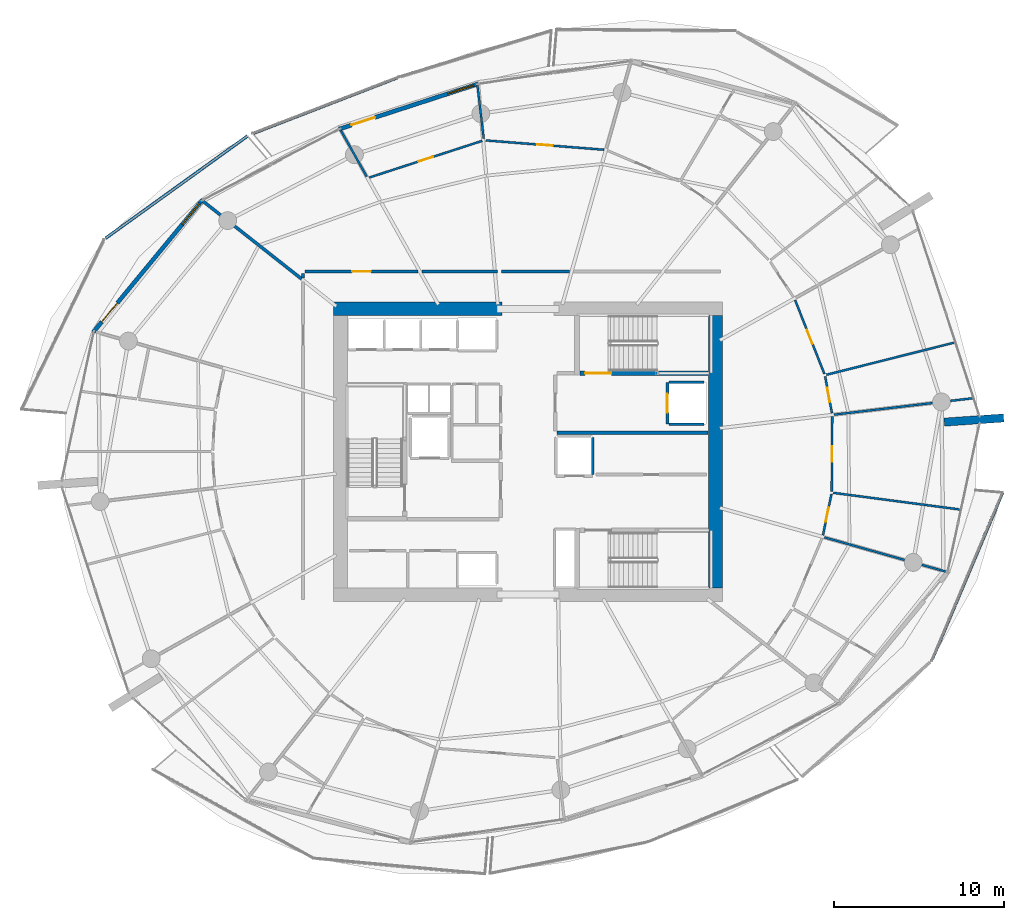
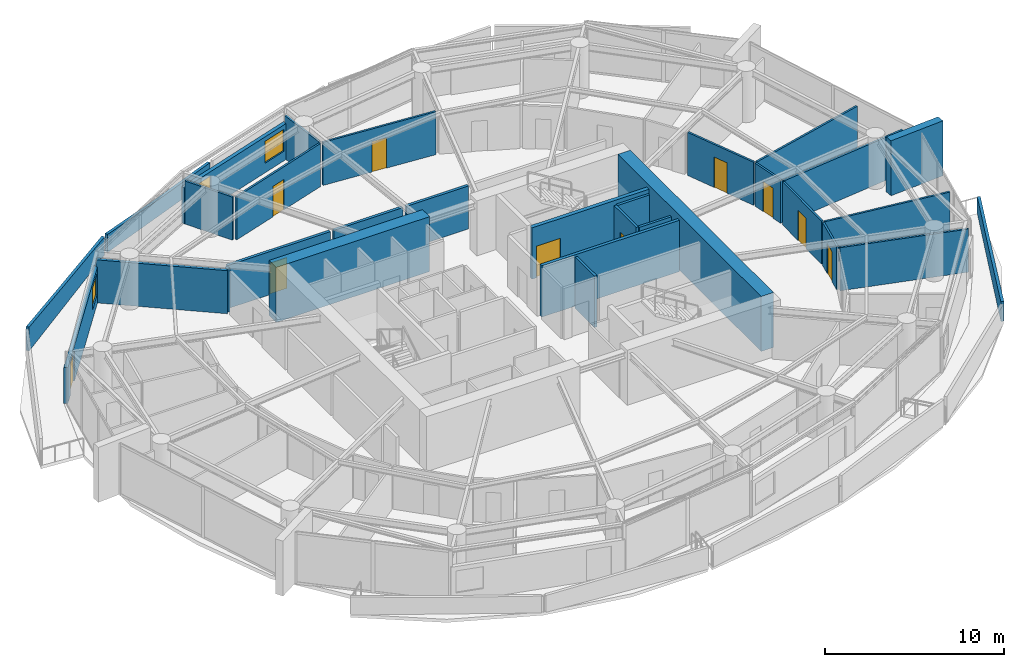
# One storey, part 14 of 20: 31 walls, 11 doors, 2 windows, 13 openings.
"""IFC4 building model written with IfcOpenShell, lengths in metres."""

from ifc_helpers import new_model, si_unit, direction, frame, frame_2d, origin, place, context, subcontext, project, spatial, polyline, rectangle, outline, extrude, material, layer, layer_set, type_object, element, fill, save


model = new_model("IFC4")

# Units and contexts
model_context = context("Model", 3, precision=1e-05, world=origin(), true_north=direction((0.0, 1.0)))
body_context = subcontext(model_context, "Body", "Model", "MODEL_VIEW")
ifc_project = project(units=[si_unit("LENGTHUNIT", "METRE"), si_unit("AREAUNIT", "SQUARE_METRE"), si_unit("VOLUMEUNIT", "CUBIC_METRE"), si_unit("PLANEANGLEUNIT", "RADIAN"), si_unit("MASSUNIT", "GRAM", prefix="KILO")], contexts=[model_context])

# Site, building, storey
site_placement = place(None, origin())
site = spatial("IfcSite", under=ifc_project, at=site_placement, CompositionType="ELEMENT")
building_placement = place(site_placement, origin())
building = spatial("IfcBuilding", under=site, at=building_placement, Name="Kazma Halo Residences", CompositionType="ELEMENT")
storey_placement = place(building_placement, frame((0.0, 0.0, 135.300048828125)))
storey = spatial("IfcBuildingStorey", under=building, at=storey_placement, Name="L33", CompositionType="ELEMENT", Elevation=135.300048828125)

# Walls
ifc_material_1 = material(Name="White Concrete C50/60 Balustrade", Category="concrete")
ifc_layer_1 = layer(ifc_material_1, 0.179931640625)
ifc_layer_set_1 = layer_set([ifc_layer_1], Name="White Concrete C50/60 Balustrade")
wall_type_1 = type_object("IfcWallType", Name="WL-BAL-WAVE-180", PredefinedType="PARAPET", material=ifc_layer_set_1)
wall_1_placement = place(storey_placement, frame((40.72900390625, 63.989990234375, 0.0), z_axis=(0.0, 0.0, 1.0), x_axis=(-0.932748827034, -0.360526872322, 0.0)))
element("IfcWall", 1, at=wall_1_placement, inside=storey, type_object=wall_type_1, Name="L33 white wave balustrade wall NNW.2", PredefinedType="PARAPET", context=body_context, shape_type="SweptSolid", body=[
    extrude(outline(polyline([(0.0, 0.0), (9.118896484375, 0.0), (9.118896484375, 1.223876953125), (4.5595703125, 1.126953125), (0.0, 1.14794921875), (0.0, 0.0)])), frame((0.0, 0.08984375, 0.0), z_axis=(0.0, -1.0, 0.0), x_axis=(1.0, 0.0, 0.0)), (0.0, 0.0, 1.0), 0.179931640625),
])
wall_2_placement = place(storey_placement, frame((31.9423828125, 60.5703125, 0.0), z_axis=(0.0, 0.0, 1.0), x_axis=(-0.811363748486, -0.584541587608, 0.0)))
element("IfcWall", 2, at=wall_2_placement, inside=storey, type_object=wall_type_1, Name="L33 white wave balustrade wall NW.1", PredefinedType="PARAPET", context=body_context, shape_type="SweptSolid", body=[
    extrude(outline(polyline([(0.0, 0.0), (10.2900390625, 0.0), (10.289794921875, 1.6318359375), (5.14501953125, 1.41796875), (0.0, 1.23291015625), (0.0, 0.0)])), frame((0.0, 0.08984375, 0.0), z_axis=(0.0, -1.0, 0.0), x_axis=(1.0, 0.0, 0.0)), (0.0, 0.0, 1.0), 0.179931640625),
])
wall_3_placement = place(storey_placement, frame((72.196044921875, 29.805908203125, 0.0), z_axis=(0.0, 0.0, 1.0), x_axis=(0.388680391431, 0.921372646282, 0.0)))
element("IfcWall", 3, at=wall_3_placement, inside=storey, type_object=wall_type_1, Name="L33 white wave balustrade wall SE.2", PredefinedType="PARAPET", context=body_context, shape_type="SweptSolid", body=[
    extrude(outline(polyline([(0.0, 0.0), (10.6259765625, 0.0), (10.626220703125, 1.119873046875), (5.31298828125, 1.181884765625), (0.0, 1.347900390625), (0.0, 0.0)])), frame((0.0, 0.08984375, 0.0), z_axis=(0.0, -1.0, 0.0), x_axis=(1.0, 0.0, 0.0)), (0.0, 0.0, 1.0), 0.179931640625),
])
ifc_material_2 = material(Name="Pale Concrete C60/75", Category="concrete")
ifc_layer_2 = layer(ifc_material_2, 0.47998046875)
ifc_layer_set_2 = layer_set([ifc_layer_2], Name="Pale Concrete C60/75")
wall_type_2 = type_object("IfcWallType", Name="WL-BLADE-480", PredefinedType="SOLIDWALL", material=ifc_layer_set_2)
wall_4_placement = place(storey_placement, frame((72.89697265625, 43.740966796875, 0.0), z_axis=(0.0, 0.0, 1.0), x_axis=(0.997564163539, 0.069754853754, 0.0)))
element("IfcWall", 4, at=wall_4_placement, inside=storey, type_object=wall_type_2, Name="L33 pale concrete structural blade fin wall BW-04", PredefinedType="SOLIDWALL", context=body_context, shape_type="SweptSolid", body=[
    extrude(rectangle(XDim=3.5, YDim=0.47998046875, at=frame_2d((1.75, 0.0))), origin(), (0.0, 0.0, 1.0), 3.75),
])
ifc_material_3 = material(Name="Concrete C80/95", Category="concrete")
ifc_layer_3 = layer(ifc_material_3, 0.800048828125)
ifc_layer_set_3 = layer_set([ifc_layer_3], Name="Concrete C80/95")
wall_type_3 = type_object("IfcWallType", Name="WL-CORE-800", PredefinedType="SHEAR", material=ifc_layer_set_3)
wall_5_placement = place(storey_placement, frame((37.0, 50.39990234375, 0.0), z_axis=(0.0, 0.0, 1.0), x_axis=(1.0, 0.0, 0.0)))
element("IfcWall", 5, at=wall_5_placement, inside=storey, type_object=wall_type_3, Name="L33 central core shear wall NW", PredefinedType="SHEAR", context=body_context, shape_type="SweptSolid", body=[
    extrude(rectangle(XDim=9.89990234375, YDim=0.800048828125, at=frame_2d((4.949951171875, 0.0))), origin(), (0.0, 0.0, 1.0), 3.75),
])
wall_6_placement = place(storey_placement, frame((59.449951171875, 34.0, 0.0), z_axis=(0.0, 0.0, 1.0), x_axis=(0.0, 1.0, 0.0)))
element("IfcWall", 6, at=wall_6_placement, inside=storey, type_object=wall_type_3, Name="L33 central core shear wall E", PredefinedType="SHEAR", context=body_context, shape_type="SweptSolid", body=[
    extrude(rectangle(XDim=16.0, YDim=0.800048828125, at=frame_2d((8.0, 0.0))), origin(), (0.0, 0.0, 1.0), 3.75),
])
ifc_material_4 = material(Name="Acoustic Twin-Stud Gypsum")
ifc_layer_4 = layer(ifc_material_4, 0.179931640625)
ifc_layer_set_4 = layer_set([ifc_layer_4], Name="Acoustic Twin-Stud Gypsum")
wall_type_4 = type_object("IfcWallType", Name="WL-DEM-180", PredefinedType="PARTITIONING", material=ifc_layer_set_4)
wall_7_placement = place(storey_placement, frame((35.113525390625, 52.15869140625, 0.0), z_axis=(0.0, 0.0, 1.0), x_axis=(-0.78531739611, 0.619093359169, 0.0)))
element("IfcWall", 7, at=wall_7_placement, inside=storey, type_object=wall_type_4, Name="L33 apartment demising radial wall 05", PredefinedType="PARTITIONING", context=body_context, shape_type="SweptSolid", body=[
    extrude(rectangle(XDim=7.430419921875, YDim=0.179931640625, at=frame_2d((3.71533203125, 0.0))), origin(), (0.0, 0.0, 1.0), 2.93994140625),
])

# Wall, opening, door
wall_8_placement = place(storey_placement, frame((41.943603515625, 52.60009765625, 0.0), z_axis=(0.0, 0.0, 1.0), x_axis=(-1.0, 0.0, 0.0)))
wall_8 = element("IfcWall", 8, at=wall_8_placement, inside=storey, type_object=wall_type_4, Name="L33 Apartment 2 entrance corridor wall", PredefinedType="PARTITIONING", context=body_context, shape_type="SweptSolid", body=[
    extrude(rectangle(XDim=6.62353515625, YDim=0.179931640625, at=frame_2d((3.311767578125, 0.0))), origin(), (0.0, 0.0, 1.0), 2.93994140625),
])
opening_1_placement = place(wall_8_placement, frame((2.76171875, 0.0, 0.0)))
opening_1 = element("IfcOpeningElement", 9, at=opening_1_placement, cuts=wall_8, Name="Opening DA-1100", PredefinedType="OPENING", context=body_context, shape_type="SweptSolid", body=[
    extrude(rectangle(XDim=1.10009765625, YDim=2.10009765625, at=frame_2d((0.550048828125, 1.050048828125))), frame((0.0, 0.099853515625, 0.0), z_axis=(0.0, -1.0, 0.0), x_axis=(1.0, 0.0, 0.0)), (0.0, 0.0, 1.0), 0.199951171875),
])
ifc_material_5 = material(Name="Acoustic Walnut Fire Leaf")
door_type_1 = type_object("IfcDoorType", Name="DR-FD60-1100", OperationType="NOTDEFINED", PredefinedType="DOOR", material=ifc_material_5)
door_1_placement = place(opening_1_placement, origin())
door_1 = element("IfcDoor", 10, at=door_1_placement, inside=storey, type_object=door_type_1, Name="L33 Apartment 2 entrance fire door", OperationType="SINGLE_SWING_RIGHT", OverallHeight=2.10009765625, OverallWidth=1.10009765625, PredefinedType="DOOR", context=body_context, shape_type="SweptSolid", body=[
    extrude(rectangle(XDim=1.10009765625, YDim=2.10009765625, at=frame_2d((0.550048828125, 1.050048828125))), frame((0.0, 0.02490234375, 0.0), z_axis=(0.0, -1.0, 0.0), x_axis=(1.0, 0.0, 0.0)), (0.0, 0.0, 1.0), 0.050048828125),
])
fill(opening_1, door_1)

# Walls
wall_9_placement = place(storey_placement, frame((35.199951171875, 52.47998046875, 0.0), z_axis=(0.0, 0.0, 1.0), x_axis=(0.0, -1.0, 0.0)))
element("IfcWall", 11, at=wall_9_placement, inside=storey, type_object=wall_type_4, Name="L33 Apartment 2 entrance corridor wall", PredefinedType="PARTITIONING", context=body_context, shape_type="SweptSolid", body=[
    extrude(rectangle(XDim=0.269287109375, YDim=0.179931640625, at=frame_2d((0.134765625, 0.0))), origin(), (0.0, 0.0, 1.0), 2.93994140625),
])
wall_10_placement = place(storey_placement, frame((50.869384765625, 52.60009765625, 0.0), z_axis=(0.0, 0.0, 1.0), x_axis=(-1.0, 0.0, 0.0)))
element("IfcWall", 12, at=wall_10_placement, inside=storey, type_object=wall_type_4, Name="L33 Apartment 2 inner wall 2", PredefinedType="PARTITIONING", context=body_context, shape_type="SweptSolid", body=[
    extrude(rectangle(XDim=4.00390625, YDim=0.179931640625, at=frame_2d((2.001953125, 0.0))), origin(), (0.0, 0.0, 1.0), 2.93994140625),
])
wall_11_placement = place(storey_placement, frame((46.62548828125, 52.60009765625, 0.0), z_axis=(0.0, 0.0, 1.0), x_axis=(-1.0, 0.0, 0.0)))
element("IfcWall", 13, at=wall_11_placement, inside=storey, type_object=wall_type_4, Name="L33 Apartment 2 inner wall 3", PredefinedType="PARTITIONING", context=body_context, shape_type="SweptSolid", body=[
    extrude(rectangle(XDim=4.44189453125, YDim=0.179931640625, at=frame_2d((2.220947265625, 0.0))), origin(), (0.0, 0.0, 1.0), 2.93994140625),
])

# Wall, openings, door, window
ifc_material_6 = material(Name="Insulated Pale-Metal Composite Wall")
ifc_layer_5 = layer(ifc_material_6, 0.239990234375)
ifc_layer_set_5 = layer_set([ifc_layer_5], Name="Insulated Pale-Metal Composite Wall")
wall_type_5 = type_object("IfcWallType", Name="WL-EXT-HOST-240", PredefinedType="SOLIDWALL", material=ifc_layer_set_5)
wall_12_placement = place(storey_placement, frame((45.489990234375, 63.624267578125, 0.0), z_axis=(0.0, 0.0, 1.0), x_axis=(-0.951046390632, -0.309048156224, 0.0)))
wall_12 = element("IfcWall", 14, at=wall_12_placement, inside=storey, type_object=wall_type_5, Name="L33 exterior terrace-access wall B04", PredefinedType="SOLIDWALL", context=body_context, shape_type="SweptSolid", body=[
    extrude(rectangle(XDim=8.590087890625, YDim=0.239990234375, at=frame_2d((4.294921875, 0.0))), origin(), (0.0, 0.0, 1.0), 2.449951171875),
])
opening_2_placement = place(wall_12_placement, frame((6.370361328125, 0.0, 0.0)))
opening_2 = element("IfcOpeningElement", 15, at=opening_2_placement, cuts=wall_12, Name="Opening DTR-1600", PredefinedType="OPENING", context=body_context, shape_type="SweptSolid", body=[
    extrude(rectangle(XDim=1.449951171875, YDim=2.14990234375, at=frame_2d((0.72509765625, 1.074951171875))), frame((0.0, 0.1298828125, 0.0), z_axis=(0.0, -1.0, 0.0), x_axis=(1.0, 0.0, 0.0)), (0.0, 0.0, 1.0), 0.260009765625),
])
opening_3_placement = place(wall_12_placement, frame((0.280029296875, 0.0, 0.64990234375)))
opening_3 = element("IfcOpeningElement", 16, at=opening_3_placement, cuts=wall_12, Name="Opening W-1800", PredefinedType="OPENING", context=body_context, shape_type="SweptSolid", body=[
    extrude(rectangle(XDim=1.60009765625, YDim=1.5, at=frame_2d((0.800048828125, 0.75))), frame((0.0, 0.1298828125, 0.0), z_axis=(0.0, -1.0, 0.0), x_axis=(1.0, 0.0, 0.0)), (0.0, 0.0, 1.0), 0.260009765625),
])
ifc_material_7 = material(Name="Aluminium AW-6063 T6 Double-Glazed Terrace Door", Category="aluminium")
door_type_2 = type_object("IfcDoorType", Name="DR-EXT-TERR-1600", OperationType="NOTDEFINED", PredefinedType="DOOR", material=ifc_material_7)
door_2_placement = place(opening_2_placement, origin())
door_2 = element("IfcDoor", 17, at=door_2_placement, inside=storey, type_object=door_type_2, Name="L33 B04 balcony terrace door", OperationType="DOUBLE_DOOR_SLIDING", OverallHeight=2.14990234375, OverallWidth=1.449951171875, PredefinedType="DOOR", context=body_context, shape_type="SweptSolid", body=[
    extrude(rectangle(XDim=1.449951171875, YDim=2.14990234375, at=frame_2d((0.72509765625, 1.074951171875))), frame((0.0, 0.02490234375, 0.0), z_axis=(0.0, -1.0, 0.0), x_axis=(1.0, 0.0, 0.0)), (0.0, 0.0, 1.0), 0.050048828125),
])
fill(opening_2, door_2)
ifc_material_8 = material(Name="Clear Triple-Silver Low-E Glass in Aluminium AW-6063 T6 Frame", Category="aluminium")
window_type = type_object("IfcWindowType", Name="WIN-RES-1800", PartitioningType="DOUBLE_PANEL_VERTICAL", PredefinedType="WINDOW", material=ifc_material_8)
window_1_placement = place(opening_3_placement, origin())
window_1 = element("IfcWindow", 18, at=window_1_placement, inside=storey, type_object=window_type, Name="L33 B04 apartment window", OverallHeight=1.5, OverallWidth=1.60009765625, PartitioningType="SINGLE_PANEL", PredefinedType="WINDOW", context=body_context, shape_type="SweptSolid", body=[
    extrude(rectangle(XDim=1.60009765625, YDim=1.5, at=frame_2d((0.800048828125, 0.75))), frame((0.0, 0.030029296875, 0.0), z_axis=(0.0, -1.0, 0.0), x_axis=(1.0, 0.0, 0.0)), (0.0, 0.0, 1.0), 0.06005859375),
])
fill(opening_3, window_1)

wall_13_placement = place(storey_placement, frame((29.29052734375, 56.81298828125, 0.0), z_axis=(0.0, 0.0, 1.0), x_axis=(-0.636771922292, -0.77105221547, 0.0)))
wall_13 = element("IfcWall", 19, at=wall_13_placement, inside=storey, type_object=wall_type_5, Name="L33 exterior terrace-access wall B06", PredefinedType="SOLIDWALL", context=body_context, shape_type="SweptSolid", body=[
    extrude(rectangle(XDim=10.08154296875, YDim=0.239990234375, at=frame_2d((5.040771484375, 0.0))), origin(), (0.0, 0.0, 1.0), 2.449951171875),
])
opening_4_placement = place(wall_13_placement, frame((7.861572265625, 0.0, 0.0)))
opening_4 = element("IfcOpeningElement", 20, at=opening_4_placement, cuts=wall_13, Name="Opening DTR-1600", PredefinedType="OPENING", context=body_context, shape_type="SweptSolid", body=[
    extrude(rectangle(XDim=1.449951171875, YDim=2.14990234375, at=frame_2d((0.72509765625, 1.074951171875))), frame((0.0, 0.1298828125, 0.0), z_axis=(0.0, -1.0, 0.0), x_axis=(1.0, 0.0, 0.0)), (0.0, 0.0, 1.0), 0.260009765625),
])
opening_5_placement = place(wall_13_placement, frame((0.280029296875, 0.0, 0.64990234375)))
opening_5 = element("IfcOpeningElement", 21, at=opening_5_placement, cuts=wall_13, Name="Opening W-1800", PredefinedType="OPENING", context=body_context, shape_type="SweptSolid", body=[
    extrude(rectangle(XDim=1.60009765625, YDim=1.5, at=frame_2d((0.800048828125, 0.75))), frame((0.0, 0.1298828125, 0.0), z_axis=(0.0, -1.0, 0.0), x_axis=(1.0, 0.0, 0.0)), (0.0, 0.0, 1.0), 0.260009765625),
])
door_3_placement = place(opening_4_placement, origin())
door_3 = element("IfcDoor", 22, at=door_3_placement, inside=storey, type_object=door_type_2, Name="L33 B06 balcony terrace door", OperationType="DOUBLE_DOOR_SLIDING", OverallHeight=2.14990234375, OverallWidth=1.449951171875, PredefinedType="DOOR", context=body_context, shape_type="SweptSolid", body=[
    extrude(rectangle(XDim=1.449951171875, YDim=2.14990234375, at=frame_2d((0.72509765625, 1.074951171875))), frame((0.0, 0.02490234375, 0.0), z_axis=(0.0, -1.0, 0.0), x_axis=(1.0, 0.0, 0.0)), (0.0, 0.0, 1.0), 0.050048828125),
])
fill(opening_4, door_3)
window_2_placement = place(opening_5_placement, origin())
window_2 = element("IfcWindow", 23, at=window_2_placement, inside=storey, type_object=window_type, Name="L33 B06 apartment window", OverallHeight=1.5, OverallWidth=1.60009765625, PartitioningType="SINGLE_PANEL", PredefinedType="WINDOW", context=body_context, shape_type="SweptSolid", body=[
    extrude(rectangle(XDim=1.60009765625, YDim=1.5, at=frame_2d((0.800048828125, 0.75))), frame((0.0, 0.030029296875, 0.0), z_axis=(0.0, -1.0, 0.0), x_axis=(1.0, 0.0, 0.0)), (0.0, 0.0, 1.0), 0.06005859375),
])
fill(opening_5, window_2)

# Wall, opening, door
ifc_material_9 = material(Name="Fire-Rated Blockwork Masonry", Category="masonry")
ifc_layer_6 = layer(ifc_material_9, 0.199951171875)
ifc_layer_set_6 = layer_set([ifc_layer_6], Name="Fire-Rated Blockwork Masonry")
wall_type_6 = type_object("IfcWallType", Name="WL-FLB-200", PredefinedType="PARTITIONING", material=ifc_layer_set_6)
wall_14_placement = place(storey_placement, frame((56.6201171875, 46.080078125, 0.0), z_axis=(0.0, 0.0, 1.0), x_axis=(0.0, -1.0, 0.0)))
wall_14 = element("IfcWall", 24, at=wall_14_placement, inside=storey, type_object=wall_type_6, Name="L33 lift shaft FL-02 front wall", PredefinedType="PARTITIONING", context=body_context, shape_type="SweptSolid", body=[
    extrude(rectangle(XDim=2.4599609375, YDim=0.159912109375, at=frame_2d((1.22998046875, 0.0))), origin(), (0.0, 0.0, 1.0), 3.5),
])
opening_6_placement = place(wall_14_placement, frame((0.679931640625, 0.0, 0.0)))
opening_6 = element("IfcOpeningElement", 25, at=opening_6_placement, cuts=wall_14, Name="Opening LD-FL-02", PredefinedType="OPENING", context=body_context, shape_type="SweptSolid", body=[
    extrude(rectangle(XDim=1.10009765625, YDim=2.10009765625, at=frame_2d((0.550048828125, 1.050048828125))), frame((0.0, 0.08984375, 0.0), z_axis=(0.0, -1.0, 0.0), x_axis=(1.0, 0.0, 0.0)), (0.0, 0.0, 1.0), 0.179931640625),
])
ifc_material_10 = material(Name="Stainless Steel Fire-Rated", Category="steel")
door_type_3 = type_object("IfcDoorType", Name="DR-LIFT-SLD-1100", OperationType="DOUBLE_DOOR_SLIDING", PredefinedType="DOOR", material=ifc_material_10)
door_4_placement = place(opening_6_placement, origin())
door_4 = element("IfcDoor", 26, at=door_4_placement, inside=storey, type_object=door_type_3, Name="L33 lift FL-02 sliding landing door", OperationType="DOUBLE_DOOR_SLIDING", OverallHeight=2.10009765625, OverallWidth=1.10009765625, PredefinedType="DOOR", context=body_context, shape_type="SweptSolid", body=[
    extrude(rectangle(XDim=1.10009765625, YDim=2.10009765625, at=frame_2d((0.550048828125, 1.050048828125))), frame((0.0, 0.02490234375, 0.0), z_axis=(0.0, -1.0, 0.0), x_axis=(1.0, 0.0, 0.0)), (0.0, 0.0, 1.0), 0.050048828125),
])
fill(opening_6, door_4)

# Walls
for number, where, z_axis, x_axis, name in (
    (27, (56.719970703125, 46.080078125, 0.0), (0.0, 0.0, 1.0), (1.0, 0.0, 0.0), "L33 lift shaft FL-02 side wall N"),
    (28, (56.719970703125, 43.6201171875, 0.0), (0.0, 0.0, 1.0), (1.0, 0.0, 0.0), "L33 lift shaft FL-02 side wall S"),
):
    element("IfcWall", number, at=place(storey_placement, frame(where, z_axis=z_axis, x_axis=x_axis)), inside=storey, type_object=wall_type_6, Name=name, PredefinedType="PARTITIONING", context=body_context, shape_type="SweptSolid", body=[
        extrude(rectangle(XDim=2.06005859375, YDim=0.159912109375, at=frame_2d((1.030029296875, 0.0))), origin(), (0.0, 0.0, 1.0), 3.5),
    ])
wall_15_placement = place(storey_placement, frame((52.22998046875, 40.669921875, 0.0), z_axis=(0.0, 0.0, 1.0), x_axis=(0.0, 1.0, 0.0)))
element("IfcWall", 29, at=wall_15_placement, inside=storey, type_object=wall_type_6, Name="L33 lift shaft SV-01 side wall E", PredefinedType="PARTITIONING", context=body_context, shape_type="SweptSolid", body=[
    extrude(rectangle(XDim=2.16015625, YDim=0.159912109375, at=frame_2d((1.080078125, 0.0))), origin(), (0.0, 0.0, 1.0), 3.5),
])
wall_16_placement = place(storey_placement, frame((50.1201171875, 43.1201171875, 0.0), z_axis=(0.0, 0.0, 1.0), x_axis=(1.0, 0.0, 0.0)))
element("IfcWall", 30, at=wall_16_placement, inside=storey, type_object=wall_type_6, Name="L33 east firefighting lobby south smoke wall", PredefinedType="PARTITIONING", context=body_context, shape_type="SweptSolid", body=[
    extrude(rectangle(XDim=8.8798828125, YDim=0.199951171875, at=frame_2d((4.43994140625, 0.0))), origin(), (0.0, 0.0, 1.0), 3.5),
])
ifc_material_11 = material(Name="Gypsum Plasterboard Partition")
ifc_layer_7 = layer(ifc_material_11, 0.125)
ifc_layer_set_7 = layer_set([ifc_layer_7], Name="Gypsum Plasterboard Partition")
wall_type_7 = type_object("IfcWallType", Name="WL-PART-125", PredefinedType="PARTITIONING", material=ifc_layer_set_7)
wall_17_placement = place(storey_placement, frame((65.843017578125, 36.9677734375, 0.0), z_axis=(0.0, 0.0, 1.0), x_axis=(0.962456736489, -0.271435131084, 0.0)))
element("IfcWall", 31, at=wall_17_placement, inside=storey, type_object=wall_type_7, Name="L33 Apartment 2 radial partition 14", PredefinedType="PARTITIONING", context=body_context, shape_type="SweptSolid", body=[
    extrude(rectangle(XDim=7.412353515625, YDim=0.125, at=frame_2d((3.7060546875, 0.0))), origin(), (0.0, 0.0, 1.0), 2.93994140625),
])
wall_18_placement = place(storey_placement, frame((66.370849609375, 39.583984375, 0.0), z_axis=(0.0, 0.0, 1.0), x_axis=(0.991460894336, -0.130404351934, 0.0)))
element("IfcWall", 32, at=wall_18_placement, inside=storey, type_object=wall_type_7, Name="L33 Apartment 2 mid-bay wall 14", PredefinedType="PARTITIONING", context=body_context, shape_type="SweptSolid", body=[
    extrude(rectangle(XDim=7.55419921875, YDim=0.125, at=frame_2d((3.777099609375, 0.0))), origin(), (0.0, 0.0, 1.0), 2.93994140625),
])

# Wall, opening, door
wall_19_placement = place(storey_placement, frame((65.766845703125, 37.0927734375, 0.0), z_axis=(0.0, 0.0, 1.0), x_axis=(0.201424690473, 0.97950400411, 0.0)))
wall_19 = element("IfcWall", 33, at=wall_19_placement, inside=storey, type_object=wall_type_7, Name="L33 Apartment 2 Primary Dressing Wardrobe hall wall", PredefinedType="PARTITIONING", context=body_context, shape_type="SweptSolid", body=[
    extrude(rectangle(XDim=2.47509765625, YDim=0.125, at=frame_2d((1.237548828125, 0.0))), origin(), (0.0, 0.0, 1.0), 2.93994140625),
])
opening_7_placement = place(wall_19_placement, frame((0.8125, 0.0, 0.0)))
opening_7 = element("IfcOpeningElement", 34, at=opening_7_placement, cuts=wall_19, Name="Opening DB-900", PredefinedType="OPENING", context=body_context, shape_type="SweptSolid", body=[
    extrude(rectangle(XDim=0.85009765625, YDim=2.06005859375, at=frame_2d((0.425048828125, 1.030029296875))), frame((0.0, 0.072509765625, 0.0), z_axis=(0.0, -1.0, 0.0), x_axis=(1.0, 0.0, 0.0)), (0.0, 0.0, 1.0), 0.14501953125),
])
ifc_material_12 = material(Name="Moisture-Sealed Timber Leaf", Category="wood")
door_type_4 = type_object("IfcDoorType", Name="DR-BTH-900", OperationType="NOTDEFINED", PredefinedType="DOOR", material=ifc_material_12)
door_5_placement = place(opening_7_placement, origin())
door_5 = element("IfcDoor", 35, at=door_5_placement, inside=storey, type_object=door_type_4, Name="L33 Apartment 2 Primary Dressing Wardrobe door", OperationType="SINGLE_SWING_RIGHT", OverallHeight=2.06005859375, OverallWidth=0.85009765625, PredefinedType="DOOR", context=body_context, shape_type="SweptSolid", body=[
    extrude(rectangle(XDim=0.85009765625, YDim=2.06005859375, at=frame_2d((0.425048828125, 1.030029296875))), frame((0.0, 0.02490234375, 0.0), z_axis=(0.0, -1.0, 0.0), x_axis=(1.0, 0.0, 0.0)), (0.0, 0.0, 1.0), 0.050048828125),
])
fill(opening_7, door_5)

wall_20_placement = place(storey_placement, frame((66.281982421875, 39.675537109375, 0.0), z_axis=(0.0, 0.0, 1.0), x_axis=(0.006503837091, 0.999978849828, 0.0)))
wall_20 = element("IfcWall", 36, at=wall_20_placement, inside=storey, type_object=wall_type_7, Name="L33 Apartment 2 Secondary Master Bedroom hall wall", PredefinedType="PARTITIONING", context=body_context, shape_type="SweptSolid", body=[
    extrude(rectangle(XDim=4.391845703125, YDim=0.125, at=frame_2d((2.19580078125, 0.0))), origin(), (0.0, 0.0, 1.0), 2.93994140625),
])
opening_8_placement = place(wall_20_placement, frame((1.745849609375, 0.0, 0.0)))
opening_8 = element("IfcOpeningElement", 37, at=opening_8_placement, cuts=wall_20, Name="Opening DI-950", PredefinedType="OPENING", context=body_context, shape_type="SweptSolid", body=[
    extrude(rectangle(XDim=0.89990234375, YDim=2.080078125, at=frame_2d((0.449951171875, 1.0400390625))), frame((0.0, 0.072509765625, 0.0), z_axis=(0.0, -1.0, 0.0), x_axis=(1.0, 0.0, 0.0)), (0.0, 0.0, 1.0), 0.14501953125),
])
ifc_material_13 = material(Name="Timber Veneer Flush Leaf", Category="wood")
door_type_5 = type_object("IfcDoorType", Name="DR-INT-950", OperationType="NOTDEFINED", PredefinedType="DOOR", material=ifc_material_13)
door_6_placement = place(opening_8_placement, origin())
door_6 = element("IfcDoor", 38, at=door_6_placement, inside=storey, type_object=door_type_5, Name="L33 Apartment 2 Secondary Master Bedroom door", OperationType="SINGLE_SWING_LEFT", OverallHeight=2.080078125, OverallWidth=0.89990234375, PredefinedType="DOOR", context=body_context, shape_type="SweptSolid", body=[
    extrude(rectangle(XDim=0.89990234375, YDim=2.080078125, at=frame_2d((0.449951171875, 1.0400390625))), frame((0.0, 0.02490234375, 0.0), z_axis=(0.0, -1.0, 0.0), x_axis=(1.0, 0.0, 0.0)), (0.0, 0.0, 1.0), 0.050048828125),
])
fill(opening_8, door_6)

# Walls
wall_21_placement = place(storey_placement, frame((66.410400390625, 44.17919921875, 0.0), z_axis=(0.0, 0.0, 1.0), x_axis=(0.993070354128, 0.117521367213, 0.0)))
element("IfcWall", 39, at=wall_21_placement, inside=storey, type_object=wall_type_7, Name="L33 Apartment 2 radial partition 15", PredefinedType="PARTITIONING", context=body_context, shape_type="SweptSolid", body=[
    extrude(rectangle(XDim=8.247314453125, YDim=0.125, at=frame_2d((4.12353515625, 0.0))), origin(), (0.0, 0.0, 1.0), 2.93994140625),
])
wall_22_placement = place(storey_placement, frame((65.968505859375, 46.5234375, 0.0), z_axis=(0.0, 0.0, 1.0), x_axis=(0.969747306191, 0.244110962749, 0.0)))
element("IfcWall", 40, at=wall_22_placement, inside=storey, type_object=wall_type_7, Name="L33 Apartment 2 mid-bay wall 15", PredefinedType="PARTITIONING", context=body_context, shape_type="SweptSolid", body=[
    extrude(rectangle(XDim=7.802001953125, YDim=0.125, at=frame_2d((3.90087890625, 0.0))), origin(), (0.0, 0.0, 1.0), 2.93994140625),
])

# Wall, opening, door
wall_23_placement = place(storey_placement, frame((66.293212890625, 44.265625, 0.0), z_axis=(0.0, 0.0, 1.0), x_axis=(-0.181323912203, 0.983423428063, 0.0)))
wall_23 = element("IfcWall", 41, at=wall_23_placement, inside=storey, type_object=wall_type_7, Name="L33 Apartment 2 East Wine Pantry Store hall wall", PredefinedType="PARTITIONING", context=body_context, shape_type="SweptSolid", body=[
    extrude(rectangle(XDim=2.193359375, YDim=0.125, at=frame_2d((1.0966796875, 0.0))), origin(), (0.0, 0.0, 1.0), 2.93994140625),
])
opening_9_placement = place(wall_23_placement, frame((0.671630859375, 0.0, 0.0)))
opening_9 = element("IfcOpeningElement", 42, at=opening_9_placement, cuts=wall_23, Name="Opening DB-900", PredefinedType="OPENING", context=body_context, shape_type="SweptSolid", body=[
    extrude(rectangle(XDim=0.85009765625, YDim=2.06005859375, at=frame_2d((0.425048828125, 1.030029296875))), frame((0.0, 0.072509765625, 0.0), z_axis=(0.0, -1.0, 0.0), x_axis=(1.0, 0.0, 0.0)), (0.0, 0.0, 1.0), 0.14501953125),
])
door_7_placement = place(opening_9_placement, origin())
door_7 = element("IfcDoor", 43, at=door_7_placement, inside=storey, type_object=door_type_4, Name="L33 Apartment 2 East Wine Pantry Store door", OperationType="SINGLE_SWING_LEFT", OverallHeight=2.06005859375, OverallWidth=0.85009765625, PredefinedType="DOOR", context=body_context, shape_type="SweptSolid", body=[
    extrude(rectangle(XDim=0.85009765625, YDim=2.06005859375, at=frame_2d((0.425048828125, 1.030029296875))), frame((0.0, 0.02490234375, 0.0), z_axis=(0.0, -1.0, 0.0), x_axis=(1.0, 0.0, 0.0)), (0.0, 0.0, 1.0), 0.050048828125),
])
fill(opening_9, door_7)

wall_24_placement = place(storey_placement, frame((65.8515625, 46.57568359375, 0.0), z_axis=(0.0, 0.0, 1.0), x_axis=(-0.369569936121, 0.929202917729, 0.0)))
wall_24 = element("IfcWall", 44, at=wall_24_placement, inside=storey, type_object=wall_type_7, Name="L33 Apartment 2 West Formal Dining Room hall wall", PredefinedType="PARTITIONING", context=body_context, shape_type="SweptSolid", body=[
    extrude(rectangle(XDim=4.671875, YDim=0.125, at=frame_2d((2.3359375, 0.0))), origin(), (0.0, 0.0, 1.0), 2.93994140625),
])
opening_10_placement = place(wall_24_placement, frame((1.885986328125, 0.0, 0.0)))
opening_10 = element("IfcOpeningElement", 45, at=opening_10_placement, cuts=wall_24, Name="Opening DI-950", PredefinedType="OPENING", context=body_context, shape_type="SweptSolid", body=[
    extrude(rectangle(XDim=0.89990234375, YDim=2.080078125, at=frame_2d((0.449951171875, 1.0400390625))), frame((0.0, 0.072509765625, 0.0), z_axis=(0.0, -1.0, 0.0), x_axis=(1.0, 0.0, 0.0)), (0.0, 0.0, 1.0), 0.14501953125),
])
door_8_placement = place(opening_10_placement, origin())
door_8 = element("IfcDoor", 46, at=door_8_placement, inside=storey, type_object=door_type_5, Name="L33 Apartment 2 West Formal Dining Room door", OperationType="SINGLE_SWING_RIGHT", OverallHeight=2.080078125, OverallWidth=0.89990234375, PredefinedType="DOOR", context=body_context, shape_type="SweptSolid", body=[
    extrude(rectangle(XDim=0.89990234375, YDim=2.080078125, at=frame_2d((0.449951171875, 1.0400390625))), frame((0.0, 0.02490234375, 0.0), z_axis=(0.0, -1.0, 0.0), x_axis=(1.0, 0.0, 0.0)), (0.0, 0.0, 1.0), 0.050048828125),
])
fill(opening_10, door_8)

wall_25_placement = place(storey_placement, frame((52.8955078125, 59.75537109375, 0.0), z_axis=(0.0, 0.0, 1.0), x_axis=(-0.996918496177, 0.078444324085, 0.0)))
wall_25 = element("IfcWall", 47, at=wall_25_placement, inside=storey, type_object=wall_type_7, Name="L33 Apartment 2 Garden Master Bedroom gallery wall", PredefinedType="PARTITIONING", context=body_context, shape_type="SweptSolid", body=[
    extrude(rectangle(XDim=6.974609375, YDim=0.125, at=frame_2d((3.4873046875, 0.0))), origin(), (0.0, 0.0, 1.0), 2.93994140625),
])
opening_11_placement = place(wall_25_placement, frame((3.037353515625, 0.0, 0.0)))
opening_11 = element("IfcOpeningElement", 48, at=opening_11_placement, cuts=wall_25, Name="Opening DI-950", PredefinedType="OPENING", context=body_context, shape_type="SweptSolid", body=[
    extrude(rectangle(XDim=0.89990234375, YDim=2.080078125, at=frame_2d((0.449951171875, 1.0400390625))), frame((0.0, 0.072509765625, 0.0), z_axis=(0.0, -1.0, 0.0), x_axis=(1.0, 0.0, 0.0)), (0.0, 0.0, 1.0), 0.14501953125),
])
door_9_placement = place(opening_11_placement, origin())
door_9 = element("IfcDoor", 49, at=door_9_placement, inside=storey, type_object=door_type_5, Name="L33 Apartment 2 Garden Master Bedroom door", OperationType="SINGLE_SWING_RIGHT", OverallHeight=2.080078125, OverallWidth=0.89990234375, PredefinedType="DOOR", context=body_context, shape_type="SweptSolid", body=[
    extrude(rectangle(XDim=0.89990234375, YDim=2.080078125, at=frame_2d((0.449951171875, 1.0400390625))), frame((0.0, 0.02490234375, 0.0), z_axis=(0.0, -1.0, 0.0), x_axis=(1.0, 0.0, 0.0)), (0.0, 0.0, 1.0), 0.050048828125),
])
fill(opening_11, door_9)

# Walls
wall_26_placement = place(storey_placement, frame((45.82080078125, 60.410400390625, 0.0), z_axis=(0.0, 0.0, 1.0), x_axis=(-0.117497237937, 0.993073209324, 0.0)))
element("IfcWall", 50, at=wall_26_placement, inside=storey, type_object=wall_type_7, Name="L33 Apartment 2 radial partition 3", PredefinedType="PARTITIONING", context=body_context, shape_type="SweptSolid", body=[
    extrude(rectangle(XDim=3.19580078125, YDim=0.125, at=frame_2d((1.597900390625, 0.0))), origin(), (0.0, 0.0, 1.0), 2.93994140625),
])
wall_27_placement = place(storey_placement, frame((38.94140625, 58.17529296875, 0.0), z_axis=(0.0, 0.0, 1.0), x_axis=(-0.488620181058, 0.872496600946, 0.0)))
element("IfcWall", 51, at=wall_27_placement, inside=storey, type_object=wall_type_7, Name="L33 Apartment 2 living radial partition 3", PredefinedType="PARTITIONING", context=body_context, shape_type="SweptSolid", body=[
    extrude(rectangle(XDim=3.095458984375, YDim=0.125, at=frame_2d((1.5478515625, 0.0))), origin(), (0.0, 0.0, 1.0), 2.93994140625),
])

# Wall, opening, door
wall_28_placement = place(storey_placement, frame((45.72802734375, 60.277099609375, 0.0), z_axis=(0.0, 0.0, 1.0), x_axis=(-0.951064162215, -0.308993461661, 0.0)))
wall_28 = element("IfcWall", 52, at=wall_28_placement, inside=storey, type_object=wall_type_7, Name="L33 Apartment 2 Sky Master Bedroom gallery wall", PredefinedType="PARTITIONING", context=body_context, shape_type="SweptSolid", body=[
    extrude(rectangle(XDim=6.974365234375, YDim=0.125, at=frame_2d((3.4873046875, 0.0))), origin(), (0.0, 0.0, 1.0), 2.93994140625),
])
opening_12_placement = place(wall_28_placement, frame((3.037353515625, 0.0, 0.0)))
opening_12 = element("IfcOpeningElement", 53, at=opening_12_placement, cuts=wall_28, Name="Opening DI-950", PredefinedType="OPENING", context=body_context, shape_type="SweptSolid", body=[
    extrude(rectangle(XDim=0.89990234375, YDim=2.080078125, at=frame_2d((0.449951171875, 1.0400390625))), frame((0.0, 0.072509765625, 0.0), z_axis=(0.0, -1.0, 0.0), x_axis=(1.0, 0.0, 0.0)), (0.0, 0.0, 1.0), 0.14501953125),
])
door_10_placement = place(opening_12_placement, origin())
door_10 = element("IfcDoor", 54, at=door_10_placement, inside=storey, type_object=door_type_5, Name="L33 Apartment 2 Sky Master Bedroom door", OperationType="SINGLE_SWING_LEFT", OverallHeight=2.080078125, OverallWidth=0.89990234375, PredefinedType="DOOR", context=body_context, shape_type="SweptSolid", body=[
    extrude(rectangle(XDim=0.89990234375, YDim=2.080078125, at=frame_2d((0.449951171875, 1.0400390625))), frame((0.0, 0.02490234375, 0.0), z_axis=(0.0, -1.0, 0.0), x_axis=(1.0, 0.0, 0.0)), (0.0, 0.0, 1.0), 0.050048828125),
])
fill(opening_12, door_10)

ifc_material_14 = material(Name="Concrete C50/60", Category="concrete")
ifc_layer_8 = layer(ifc_material_14, 0.25)
ifc_layer_set_8 = layer_set([ifc_layer_8], Name="Concrete C50/60")
wall_type_8 = type_object("IfcWallType", Name="WL-SHF-250", PredefinedType="SOLIDWALL", material=ifc_layer_set_8)
wall_29_placement = place(storey_placement, frame((51.47998046875, 46.6201171875, 0.0), z_axis=(0.0, 0.0, 1.0), x_axis=(1.0, 0.0, 0.0)))
wall_29 = element("IfcWall", 55, at=wall_29_placement, inside=storey, type_object=wall_type_8, Name="L33 exit stair ST-02 enclosure wall", PredefinedType="SOLIDWALL", context=body_context, shape_type="SweptSolid", body=[
    extrude(rectangle(XDim=7.5400390625, YDim=0.25, at=frame_2d((3.77001953125, 0.0))), origin(), (0.0, 0.0, 1.0), 3.5),
])
opening_13_placement = place(wall_29_placement, frame((0.300048828125, 0.0, 0.0)))
opening_13 = element("IfcOpeningElement", 56, at=opening_13_placement, cuts=wall_29, Name="Opening D-ST2", PredefinedType="OPENING", context=body_context, shape_type="SweptSolid", body=[
    extrude(rectangle(XDim=1.550048828125, YDim=2.14990234375, at=frame_2d((0.77490234375, 1.074951171875))), frame((0.0, 0.135009765625, 0.0), z_axis=(0.0, -1.0, 0.0), x_axis=(1.0, 0.0, 0.0)), (0.0, 0.0, 1.0), 0.27001953125),
])
ifc_material_15 = material(Name="Fire-Rated Double Steel Leaf", Category="steel")
door_type_6 = type_object("IfcDoorType", Name="DR-FD90-1550", OperationType="NOTDEFINED", PredefinedType="DOOR", material=ifc_material_15)
door_11_placement = place(opening_13_placement, origin())
door_11 = element("IfcDoor", 57, at=door_11_placement, inside=storey, type_object=door_type_6, Name="L33 exit stair ST-02 fire door", OperationType="DOUBLE_DOOR_SINGLE_SWING", OverallHeight=2.14990234375, OverallWidth=1.550048828125, PredefinedType="DOOR", context=body_context, shape_type="SweptSolid", body=[
    extrude(rectangle(XDim=1.550048828125, YDim=2.14990234375, at=frame_2d((0.77490234375, 1.074951171875))), frame((0.0, 0.02490234375, 0.0), z_axis=(0.0, -1.0, 0.0), x_axis=(1.0, 0.0, 0.0)), (0.0, 0.0, 1.0), 0.050048828125),
])
fill(opening_13, door_11)

save(model, "model.ifc")
